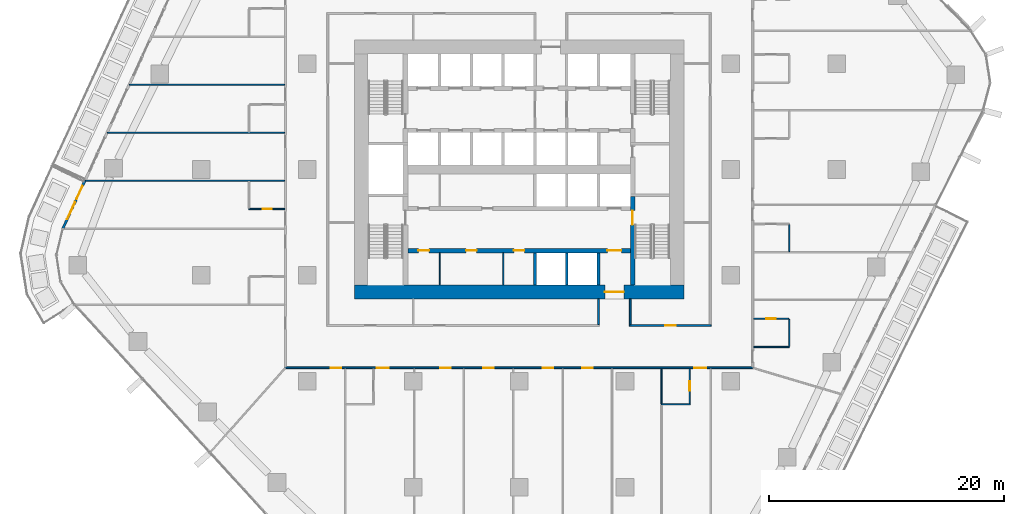
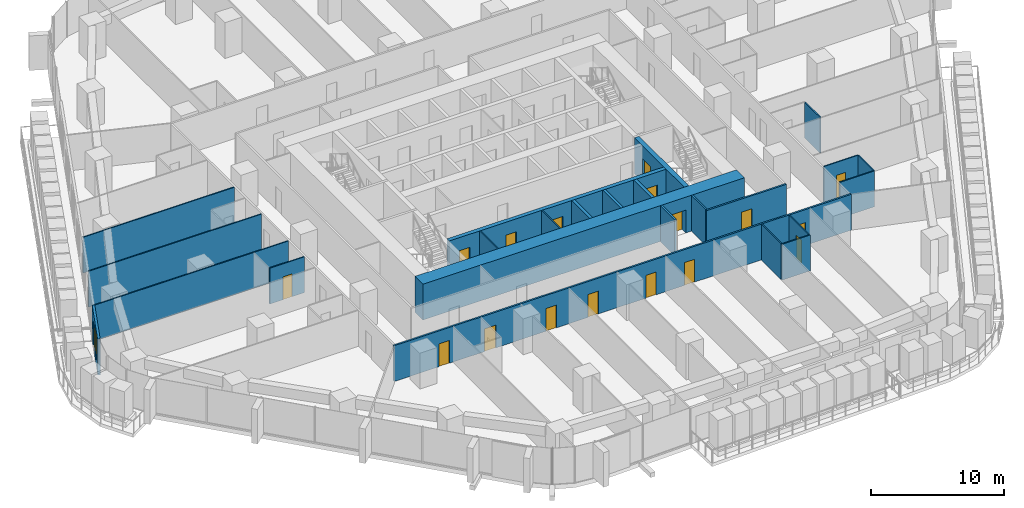
# One storey, part 14 of 27: 24 walls, 18 doors, 1 window, 19 openings.
"""IFC4 building model written with IfcOpenShell, lengths in metres."""

from ifc_helpers import new_model, si_unit, direction, frame, frame_2d, origin, place, context, subcontext, project, spatial, rectangle, extrude, material, layer, layer_set, type_object, element, fill, save


model = new_model("IFC4")

# Units and contexts
model_context = context("Model", 3, precision=1e-05, world=origin(), true_north=direction((0.0, 1.0)))
body_context = subcontext(model_context, "Body", "Model", "MODEL_VIEW")
ifc_project = project(units=[si_unit("LENGTHUNIT", "METRE"), si_unit("AREAUNIT", "SQUARE_METRE"), si_unit("VOLUMEUNIT", "CUBIC_METRE"), si_unit("PLANEANGLEUNIT", "RADIAN"), si_unit("MASSUNIT", "GRAM", prefix="KILO")], contexts=[model_context])

# Site, building, storey
site_placement = place(None, origin())
site = spatial("IfcSite", under=ifc_project, at=site_placement, CompositionType="ELEMENT")
building_placement = place(site_placement, origin())
building = spatial("IfcBuilding", under=site, at=building_placement, Name="Dongbaek Canopy Tower", CompositionType="ELEMENT")
storey_placement = place(building_placement, frame((0.0, 0.0, 58.800048828125)))
storey = spatial("IfcBuildingStorey", under=building, at=storey_placement, Name="L10", CompositionType="ELEMENT", Elevation=58.800048828125)

# Wall, openings, doors
ifc_material_1 = material(Name="Concrete C60/75", Category="concrete")
ifc_layer_1 = layer(ifc_material_1, 0.35009765625)
ifc_layer_set_1 = layer_set([ifc_layer_1], Name="Core lobby wall 350 Concrete C60/75")
wall_type_1 = type_object("IfcWallType", Name="Core lobby wall 350 Concrete C60/75", PredefinedType="SHEAR", material=ifc_layer_set_1)
wall_1_placement = place(storey_placement, frame((9.449951171875, -6.89990234375, 0.0), z_axis=(0.0, 0.0, 1.0), x_axis=(-1.0, 0.0, 0.0)))
wall_1 = element("IfcWall", 1, at=wall_1_placement, inside=storey, type_object=wall_type_1, Name="Core wall", PredefinedType="SHEAR", context=body_context, shape_type="SweptSolid", body=[
    extrude(rectangle(XDim=18.89990234375, YDim=0.35009765625, at=frame_2d((9.449951171875, 0.0))), origin(), (0.0, 0.0, 1.0), 3.300048828125),
])
opening_1_placement = place(wall_1_placement, frame((0.75, 0.0, 0.0)))
opening_1 = element("IfcOpeningElement", 2, at=opening_1_placement, cuts=wall_1, Name="Opening L10-D062", PredefinedType="OPENING", context=body_context, shape_type="SweptSolid", body=[
    extrude(rectangle(XDim=1.199951171875, YDim=2.10009765625, at=frame_2d((0.60009765625, 1.050048828125))), frame((0.0, 0.18505859375, 0.0), z_axis=(0.0, -1.0, 0.0), x_axis=(1.0, 0.0, 0.0)), (0.0, 0.0, 1.0), 0.3701171875),
])
opening_2_placement = place(wall_1_placement, frame((17.10009765625, 0.0, 0.0)))
opening_2 = element("IfcOpeningElement", 3, at=opening_2_placement, cuts=wall_1, Name="Opening L10-D065", PredefinedType="OPENING", context=body_context, shape_type="SweptSolid", body=[
    extrude(rectangle(XDim=0.89990234375, YDim=2.10009765625, at=frame_2d((0.449951171875, 1.050048828125))), frame((0.0, 0.18505859375, 0.0), z_axis=(0.0, -1.0, 0.0), x_axis=(1.0, 0.0, 0.0)), (0.0, 0.0, 1.0), 0.3701171875),
])
opening_3_placement = place(wall_1_placement, frame((13.050048828125, 0.0, 0.0)))
opening_3 = element("IfcOpeningElement", 4, at=opening_3_placement, cuts=wall_1, Name="Opening L10-D066", PredefinedType="OPENING", context=body_context, shape_type="SweptSolid", body=[
    extrude(rectangle(XDim=0.89990234375, YDim=2.10009765625, at=frame_2d((0.449951171875, 1.050048828125))), frame((0.0, 0.18505859375, 0.0), z_axis=(0.0, -1.0, 0.0), x_axis=(1.0, 0.0, 0.0)), (0.0, 0.0, 1.0), 0.3701171875),
])
opening_4_placement = place(wall_1_placement, frame((9.0, 0.0, 0.0)))
opening_4 = element("IfcOpeningElement", 5, at=opening_4_placement, cuts=wall_1, Name="Opening L10-D067", PredefinedType="OPENING", context=body_context, shape_type="SweptSolid", body=[
    extrude(rectangle(XDim=0.89990234375, YDim=2.10009765625, at=frame_2d((0.449951171875, 1.050048828125))), frame((0.0, 0.18505859375, 0.0), z_axis=(0.0, -1.0, 0.0), x_axis=(1.0, 0.0, 0.0)), (0.0, 0.0, 1.0), 0.3701171875),
])
ifc_material_2 = material(Name="Steel", Category="steel")
door_type_1 = type_object("IfcDoorType", Name="Core room door 900 x 2100", OperationType="SINGLE_SWING_LEFT", PredefinedType="DOOR", material=ifc_material_2)
door_1_placement = place(opening_2_placement, origin())
door_1 = element("IfcDoor", 6, at=door_1_placement, inside=storey, type_object=door_type_1, Name="Door L10-D065", OperationType="SINGLE_SWING_RIGHT", OverallHeight=2.10009765625, OverallWidth=0.89990234375, PredefinedType="DOOR", context=body_context, shape_type="SweptSolid", body=[
    extrude(rectangle(XDim=0.89990234375, YDim=2.10009765625, at=frame_2d((0.449951171875, 1.050048828125))), frame((0.0, 0.02490234375, 0.0), z_axis=(0.0, -1.0, 0.0), x_axis=(1.0, 0.0, 0.0)), (0.0, 0.0, 1.0), 0.050048828125),
])
fill(opening_2, door_1)
door_2_placement = place(opening_3_placement, origin())
door_2 = element("IfcDoor", 7, at=door_2_placement, inside=storey, type_object=door_type_1, Name="Door L10-D066", OperationType="SINGLE_SWING_LEFT", OverallHeight=2.10009765625, OverallWidth=0.89990234375, PredefinedType="DOOR", context=body_context, shape_type="SweptSolid", body=[
    extrude(rectangle(XDim=0.89990234375, YDim=2.10009765625, at=frame_2d((0.449951171875, 1.050048828125))), frame((0.0, 0.02490234375, 0.0), z_axis=(0.0, -1.0, 0.0), x_axis=(1.0, 0.0, 0.0)), (0.0, 0.0, 1.0), 0.050048828125),
])
fill(opening_3, door_2)
door_3_placement = place(opening_4_placement, origin())
door_3 = element("IfcDoor", 8, at=door_3_placement, inside=storey, type_object=door_type_1, Name="Door L10-D067", OperationType="SINGLE_SWING_RIGHT", OverallHeight=2.10009765625, OverallWidth=0.89990234375, PredefinedType="DOOR", context=body_context, shape_type="SweptSolid", body=[
    extrude(rectangle(XDim=0.89990234375, YDim=2.10009765625, at=frame_2d((0.449951171875, 1.050048828125))), frame((0.0, 0.02490234375, 0.0), z_axis=(0.0, -1.0, 0.0), x_axis=(1.0, 0.0, 0.0)), (0.0, 0.0, 1.0), 0.050048828125),
])
fill(opening_4, door_3)
ifc_material_3 = material(Name="Steel", Category="steel")
door_type_2 = type_object("IfcDoorType", Name="Fire lobby door 1200 x 2100", OperationType="SINGLE_SWING_LEFT", PredefinedType="DOOR", material=ifc_material_3)
door_4_placement = place(opening_1_placement, origin())
door_4 = element("IfcDoor", 9, at=door_4_placement, inside=storey, type_object=door_type_2, Name="Door L10-D062", OperationType="SINGLE_SWING_LEFT", OverallHeight=2.10009765625, OverallWidth=1.199951171875, PredefinedType="DOOR", context=body_context, shape_type="SweptSolid", body=[
    extrude(rectangle(XDim=1.199951171875, YDim=2.10009765625, at=frame_2d((0.60009765625, 1.050048828125))), frame((0.0, 0.02490234375, 0.0), z_axis=(0.0, -1.0, 0.0), x_axis=(1.0, 0.0, 0.0)), (0.0, 0.0, 1.0), 0.050048828125),
])
fill(opening_1, door_4)

# Wall, opening, door
ifc_material_4 = material(Name="Concrete C60/75", Category="concrete")
ifc_layer_2 = layer(ifc_material_4, 1.199951171875)
ifc_layer_set_2 = layer_set([ifc_layer_2], Name="Core outer wall 1200 Concrete C60/75")
wall_type_2 = type_object("IfcWallType", Name="Core outer wall 1200 Concrete C60/75", PredefinedType="SHEAR", material=ifc_layer_set_2)
wall_2_placement = place(storey_placement, frame((14.0, -10.39990234375, 0.0), z_axis=(0.0, 0.0, 1.0), x_axis=(-1.0, 0.0, 0.0)))
wall_2 = element("IfcWall", 10, at=wall_2_placement, inside=storey, type_object=wall_type_2, Name="Core wall", PredefinedType="SHEAR", context=body_context, shape_type="SweptSolid", body=[
    extrude(rectangle(XDim=28.0, YDim=1.199951171875, at=frame_2d((14.0, 0.0))), origin(), (0.0, 0.0, 1.0), 3.300048828125),
])
opening_5_placement = place(wall_2_placement, frame((5.10009765625, 0.0, 0.0)))
opening_5 = element("IfcOpeningElement", 11, at=opening_5_placement, cuts=wall_2, Name="Opening L10-D061", PredefinedType="OPENING", context=body_context, shape_type="SweptSolid", body=[
    extrude(rectangle(XDim=1.60009765625, YDim=2.10009765625, at=frame_2d((0.800048828125, 1.050048828125))), frame((0.0, 0.60986328125, 0.0), z_axis=(0.0, -1.0, 0.0), x_axis=(1.0, 0.0, 0.0)), (0.0, 0.0, 1.0), 1.219970703125),
])
ifc_material_5 = material(Name="Steel", Category="steel")
door_type_3 = type_object("IfcDoorType", Name="Core exit door 1600 x 2100", OperationType="DOUBLE_DOOR_SINGLE_SWING", PredefinedType="DOOR", material=ifc_material_5)
door_5_placement = place(opening_5_placement, origin())
door_5 = element("IfcDoor", 12, at=door_5_placement, inside=storey, type_object=door_type_3, Name="Core exit door", OperationType="DOUBLE_DOOR_SINGLE_SWING", OverallHeight=2.10009765625, OverallWidth=1.60009765625, PredefinedType="DOOR", context=body_context, shape_type="SweptSolid", body=[
    extrude(rectangle(XDim=1.60009765625, YDim=2.10009765625, at=frame_2d((0.800048828125, 1.050048828125))), frame((0.0, 0.02490234375, 0.0), z_axis=(0.0, -1.0, 0.0), x_axis=(1.0, 0.0, 0.0)), (0.0, 0.0, 1.0), 0.050048828125),
])
fill(opening_5, door_5)

# Wall, openings, doors
ifc_material_6 = material(Name="Gypsum board partition, steel stud, 2 x 15 mm fire board", Category="steel")
ifc_layer_3 = layer(ifc_material_6, 0.14990234375)
ifc_layer_set_3 = layer_set([ifc_layer_3], Name="Fire-rated partition 150 gypsum board")
wall_type_3 = type_object("IfcWallType", Name="Fire-rated partition 150 gypsum board", PredefinedType="PARTITIONING", material=ifc_layer_set_3)
wall_3_placement = place(storey_placement, frame((19.925048828125, -16.85009765625, 0.0), z_axis=(0.0, 0.0, 1.0), x_axis=(-1.0, 0.0, 0.0)))
wall_3 = element("IfcWall", 13, at=wall_3_placement, inside=storey, type_object=wall_type_3, Name="Corridor partition", PredefinedType="PARTITIONING", context=body_context, shape_type="SweptSolid", body=[
    extrude(rectangle(XDim=39.85009765625, YDim=0.14990234375, at=frame_2d((19.925048828125, 0.0))), origin(), (0.0, 0.0, 1.0), 3.300048828125),
])
opening_6_placement = place(wall_3_placement, frame((35.040771484375, 0.0, 0.0)))
opening_6 = element("IfcOpeningElement", 14, at=opening_6_placement, cuts=wall_3, Name="Opening L10-D006", PredefinedType="OPENING", context=body_context, shape_type="SweptSolid", body=[
    extrude(rectangle(XDim=0.89990234375, YDim=2.10009765625, at=frame_2d((0.449951171875, 1.050048828125))), frame((0.0, 0.0849609375, 0.0), z_axis=(0.0, -1.0, 0.0), x_axis=(1.0, 0.0, 0.0)), (0.0, 0.0, 1.0), 0.169921875),
])
opening_7_placement = place(wall_3_placement, frame((30.99951171875, 0.0, 0.0)))
opening_7 = element("IfcOpeningElement", 15, at=opening_7_placement, cuts=wall_3, Name="Opening L10-D008", PredefinedType="OPENING", context=body_context, shape_type="SweptSolid", body=[
    extrude(rectangle(XDim=1.0, YDim=2.10009765625, at=frame_2d((0.5, 1.050048828125))), frame((0.0, 0.0849609375, 0.0), z_axis=(0.0, -1.0, 0.0), x_axis=(1.0, 0.0, 0.0)), (0.0, 0.0, 1.0), 0.169921875),
])
opening_8_placement = place(wall_3_placement, frame((25.711181640625, 0.0, 0.0)))
opening_8 = element("IfcOpeningElement", 16, at=opening_8_placement, cuts=wall_3, Name="Opening L10-D009", PredefinedType="OPENING", context=body_context, shape_type="SweptSolid", body=[
    extrude(rectangle(XDim=0.89990234375, YDim=2.10009765625, at=frame_2d((0.449951171875, 1.050048828125))), frame((0.0, 0.0849609375, 0.0), z_axis=(0.0, -1.0, 0.0), x_axis=(1.0, 0.0, 0.0)), (0.0, 0.0, 1.0), 0.169921875),
])
opening_9_placement = place(wall_3_placement, frame((22.072021484375, 0.0, 0.0)))
opening_9 = element("IfcOpeningElement", 17, at=opening_9_placement, cuts=wall_3, Name="Opening L10-D010", PredefinedType="OPENING", context=body_context, shape_type="SweptSolid", body=[
    extrude(rectangle(XDim=0.89990234375, YDim=2.10009765625, at=frame_2d((0.449951171875, 1.050048828125))), frame((0.0, 0.0849609375, 0.0), z_axis=(0.0, -1.0, 0.0), x_axis=(1.0, 0.0, 0.0)), (0.0, 0.0, 1.0), 0.169921875),
])
opening_10_placement = place(wall_3_placement, frame((17.03369140625, 0.0, 0.0)))
opening_10 = element("IfcOpeningElement", 18, at=opening_10_placement, cuts=wall_3, Name="Opening L10-D011", PredefinedType="OPENING", context=body_context, shape_type="SweptSolid", body=[
    extrude(rectangle(XDim=0.89990234375, YDim=2.10009765625, at=frame_2d((0.449951171875, 1.050048828125))), frame((0.0, 0.0849609375, 0.0), z_axis=(0.0, -1.0, 0.0), x_axis=(1.0, 0.0, 0.0)), (0.0, 0.0, 1.0), 0.169921875),
])
opening_11_placement = place(wall_3_placement, frame((13.674560546875, 0.0, 0.0)))
opening_11 = element("IfcOpeningElement", 19, at=opening_11_placement, cuts=wall_3, Name="Opening L10-D012", PredefinedType="OPENING", context=body_context, shape_type="SweptSolid", body=[
    extrude(rectangle(XDim=0.89990234375, YDim=2.10009765625, at=frame_2d((0.449951171875, 1.050048828125))), frame((0.0, 0.0849609375, 0.0), z_axis=(0.0, -1.0, 0.0), x_axis=(1.0, 0.0, 0.0)), (0.0, 0.0, 1.0), 0.169921875),
])
opening_12_placement = place(wall_3_placement, frame((4.031494140625, 0.0, 0.0)))
opening_12 = element("IfcOpeningElement", 20, at=opening_12_placement, cuts=wall_3, Name="Opening L10-D014", PredefinedType="OPENING", context=body_context, shape_type="SweptSolid", body=[
    extrude(rectangle(XDim=1.0, YDim=2.10009765625, at=frame_2d((0.5, 1.050048828125))), frame((0.0, 0.0849609375, 0.0), z_axis=(0.0, -1.0, 0.0), x_axis=(1.0, 0.0, 0.0)), (0.0, 0.0, 1.0), 0.169921875),
])
ifc_material_7 = material(Name="Timber veneered door leaf", Category="wood")
door_type_4 = type_object("IfcDoorType", Name="Guest room door 1000 x 2100", OperationType="SINGLE_SWING_LEFT", PredefinedType="DOOR", material=ifc_material_7)
door_6_placement = place(opening_7_placement, origin())
door_6 = element("IfcDoor", 21, at=door_6_placement, inside=storey, type_object=door_type_4, Name="Door L10-D008", OperationType="SINGLE_SWING_RIGHT", OverallHeight=2.10009765625, OverallWidth=1.0, PredefinedType="DOOR", context=body_context, shape_type="SweptSolid", body=[
    extrude(rectangle(XDim=1.0, YDim=2.10009765625, at=frame_2d((0.5, 1.050048828125))), frame((0.0, 0.02490234375, 0.0), z_axis=(0.0, -1.0, 0.0), x_axis=(1.0, 0.0, 0.0)), (0.0, 0.0, 1.0), 0.050048828125),
])
fill(opening_7, door_6)
door_7_placement = place(opening_12_placement, origin())
door_7 = element("IfcDoor", 22, at=door_7_placement, inside=storey, type_object=door_type_4, Name="Door L10-D014", OperationType="SINGLE_SWING_RIGHT", OverallHeight=2.10009765625, OverallWidth=1.0, PredefinedType="DOOR", context=body_context, shape_type="SweptSolid", body=[
    extrude(rectangle(XDim=1.0, YDim=2.10009765625, at=frame_2d((0.5, 1.050048828125))), frame((0.0, 0.02490234375, 0.0), z_axis=(0.0, -1.0, 0.0), x_axis=(1.0, 0.0, 0.0)), (0.0, 0.0, 1.0), 0.050048828125),
])
fill(opening_12, door_7)
ifc_material_8 = material(Name="Timber veneered door leaf", Category="wood")
door_type_5 = type_object("IfcDoorType", Name="Room door 900 x 2100", OperationType="SINGLE_SWING_LEFT", PredefinedType="DOOR", material=ifc_material_8)
door_8_placement = place(opening_6_placement, origin())
door_8 = element("IfcDoor", 23, at=door_8_placement, inside=storey, type_object=door_type_5, Name="Door L10-D006", OperationType="SINGLE_SWING_LEFT", OverallHeight=2.10009765625, OverallWidth=0.89990234375, PredefinedType="DOOR", context=body_context, shape_type="SweptSolid", body=[
    extrude(rectangle(XDim=0.89990234375, YDim=2.10009765625, at=frame_2d((0.449951171875, 1.050048828125))), frame((0.0, 0.02490234375, 0.0), z_axis=(0.0, -1.0, 0.0), x_axis=(1.0, 0.0, 0.0)), (0.0, 0.0, 1.0), 0.050048828125),
])
fill(opening_6, door_8)
door_9_placement = place(opening_8_placement, origin())
door_9 = element("IfcDoor", 24, at=door_9_placement, inside=storey, type_object=door_type_5, Name="Door L10-D009", OperationType="SINGLE_SWING_LEFT", OverallHeight=2.10009765625, OverallWidth=0.89990234375, PredefinedType="DOOR", context=body_context, shape_type="SweptSolid", body=[
    extrude(rectangle(XDim=0.89990234375, YDim=2.10009765625, at=frame_2d((0.449951171875, 1.050048828125))), frame((0.0, 0.02490234375, 0.0), z_axis=(0.0, -1.0, 0.0), x_axis=(1.0, 0.0, 0.0)), (0.0, 0.0, 1.0), 0.050048828125),
])
fill(opening_8, door_9)
door_10_placement = place(opening_9_placement, origin())
door_10 = element("IfcDoor", 25, at=door_10_placement, inside=storey, type_object=door_type_5, Name="Door L10-D010", OperationType="SINGLE_SWING_RIGHT", OverallHeight=2.10009765625, OverallWidth=0.89990234375, PredefinedType="DOOR", context=body_context, shape_type="SweptSolid", body=[
    extrude(rectangle(XDim=0.89990234375, YDim=2.10009765625, at=frame_2d((0.449951171875, 1.050048828125))), frame((0.0, 0.02490234375, 0.0), z_axis=(0.0, -1.0, 0.0), x_axis=(1.0, 0.0, 0.0)), (0.0, 0.0, 1.0), 0.050048828125),
])
fill(opening_9, door_10)
door_11_placement = place(opening_10_placement, origin())
door_11 = element("IfcDoor", 26, at=door_11_placement, inside=storey, type_object=door_type_5, Name="Door L10-D011", OperationType="SINGLE_SWING_LEFT", OverallHeight=2.10009765625, OverallWidth=0.89990234375, PredefinedType="DOOR", context=body_context, shape_type="SweptSolid", body=[
    extrude(rectangle(XDim=0.89990234375, YDim=2.10009765625, at=frame_2d((0.449951171875, 1.050048828125))), frame((0.0, 0.02490234375, 0.0), z_axis=(0.0, -1.0, 0.0), x_axis=(1.0, 0.0, 0.0)), (0.0, 0.0, 1.0), 0.050048828125),
])
fill(opening_10, door_11)
door_12_placement = place(opening_11_placement, origin())
door_12 = element("IfcDoor", 27, at=door_12_placement, inside=storey, type_object=door_type_5, Name="Door L10-D012", OperationType="SINGLE_SWING_RIGHT", OverallHeight=2.10009765625, OverallWidth=0.89990234375, PredefinedType="DOOR", context=body_context, shape_type="SweptSolid", body=[
    extrude(rectangle(XDim=0.89990234375, YDim=2.10009765625, at=frame_2d((0.449951171875, 1.050048828125))), frame((0.0, 0.02490234375, 0.0), z_axis=(0.0, -1.0, 0.0), x_axis=(1.0, 0.0, 0.0)), (0.0, 0.0, 1.0), 0.050048828125),
])
fill(opening_11, door_12)

# Wall, opening, door
wall_4_placement = place(storey_placement, frame((9.375, -13.25, 0.0), z_axis=(0.0, 0.0, 1.0), x_axis=(1.0, 0.0, 0.0)))
wall_4 = element("IfcWall", 28, at=wall_4_placement, inside=storey, type_object=wall_type_3, Name="Corridor partition", PredefinedType="PARTITIONING", context=body_context, shape_type="SweptSolid", body=[
    extrude(rectangle(XDim=6.949951171875, YDim=0.14990234375, at=frame_2d((3.47509765625, 0.0))), origin(), (0.0, 0.0, 1.0), 3.300048828125),
])
opening_13_placement = place(wall_4_placement, frame((3.02490234375, 0.0, 0.0)))
opening_13 = element("IfcOpeningElement", 29, at=opening_13_placement, cuts=wall_4, Name="Opening L10-D038", PredefinedType="OPENING", context=body_context, shape_type="SweptSolid", body=[
    extrude(rectangle(XDim=0.89990234375, YDim=2.10009765625, at=frame_2d((0.449951171875, 1.050048828125))), frame((0.0, 0.0849609375, 0.0), z_axis=(0.0, -1.0, 0.0), x_axis=(1.0, 0.0, 0.0)), (0.0, 0.0, 1.0), 0.169921875),
])
door_13_placement = place(opening_13_placement, origin())
door_13 = element("IfcDoor", 30, at=door_13_placement, inside=storey, type_object=door_type_5, Name="Door L10-D038", OperationType="SINGLE_SWING_LEFT", OverallHeight=2.10009765625, OverallWidth=0.89990234375, PredefinedType="DOOR", context=body_context, shape_type="SweptSolid", body=[
    extrude(rectangle(XDim=0.89990234375, YDim=2.10009765625, at=frame_2d((0.449951171875, 1.050048828125))), frame((0.0, 0.02490234375, 0.0), z_axis=(0.0, -1.0, 0.0), x_axis=(1.0, 0.0, 0.0)), (0.0, 0.0, 1.0), 0.050048828125),
])
fill(opening_13, door_13)

# Walls
for number, where, z_axis, x_axis, name in (
    (31, (9.449951171875, -13.175048828125, 0.0), (0.0, 0.0, 1.0), (0.0, 1.0, 0.0), "Corridor partition"),
    (32, (6.75, -13.175048828125, 0.0), (0.0, 0.0, 1.0), (0.0, 1.0, 0.0), "Corridor partition"),
):
    element("IfcWall", number, at=place(storey_placement, frame(where, z_axis=z_axis, x_axis=x_axis)), inside=storey, type_object=wall_type_3, Name=name, PredefinedType="PARTITIONING", context=body_context, shape_type="SweptSolid", body=[
        extrude(rectangle(XDim=2.175048828125, YDim=0.14990234375, at=frame_2d((1.08740234375, 0.0))), origin(), (0.0, 0.0, 1.0), 3.300048828125),
    ])
ifc_material_9 = material(Name="Concrete C40/50", Category="concrete")
ifc_layer_4 = layer(ifc_material_9, 0.25)
ifc_layer_set_4 = layer_set([ifc_layer_4], Name="Lift shaft wall 250 Concrete C40/50")
wall_type_4 = type_object("IfcWallType", Name="Lift shaft wall 250 Concrete C40/50", PredefinedType="SOLIDWALL", material=ifc_layer_set_4)
for number, where, z_axis, x_axis, name in (
    (33, (6.75, -9.800048828125, 0.0), (0.0, 0.0, 1.0), (0.0, 1.0, 0.0), "Lift shaft wall"),
    (34, (4.050048828125, -9.800048828125, 0.0), (0.0, 0.0, 1.0), (0.0, 1.0, 0.0), "Lift shaft wall"),
    (35, (1.35009765625, -9.800048828125, 0.0), (0.0, 0.0, 1.0), (0.0, 1.0, 0.0), "Lift shaft wall"),
):
    element("IfcWall", number, at=place(storey_placement, frame(where, z_axis=z_axis, x_axis=x_axis)), inside=storey, type_object=wall_type_4, Name=name, PredefinedType="SOLIDWALL", context=body_context, shape_type="SweptSolid", body=[
        extrude(rectangle(XDim=2.72509765625, YDim=0.25, at=frame_2d((1.362548828125, 0.0))), origin(), (0.0, 0.0, 1.0), 3.300048828125),
    ])
ifc_material_10 = material(Name="Gypsum board partition, steel stud, 2 x 12.5 mm board", Category="steel")
ifc_layer_5 = layer(ifc_material_10, 0.10009765625)
ifc_layer_set_5 = layer_set([ifc_layer_5], Name="Partition 100 gypsum board")
wall_type_5 = type_object("IfcWallType", Name="Partition 100 gypsum board", PredefinedType="PARTITIONING", material=ifc_layer_set_5)
wall_5_placement = place(storey_placement, frame((12.0986328125, -19.949951171875, 0.0), z_axis=(0.0, 0.0, 1.0), x_axis=(1.0, 0.0, 0.0)))
element("IfcWall", 36, at=wall_5_placement, inside=storey, type_object=wall_type_5, Name="Partition", PredefinedType="PARTITIONING", context=body_context, shape_type="SweptSolid", body=[
    extrude(rectangle(XDim=2.449951171875, YDim=0.10009765625, at=frame_2d((1.22509765625, 0.0))), origin(), (0.0, 0.0, 1.0), 3.300048828125),
])
wall_6_placement = place(storey_placement, frame((19.925048828125, -15.0791015625, 0.0), z_axis=(0.0, 0.0, 1.0), x_axis=(1.0, 0.0, 0.0)))
element("IfcWall", 37, at=wall_6_placement, inside=storey, type_object=wall_type_5, Name="Partition", PredefinedType="PARTITIONING", context=body_context, shape_type="SweptSolid", body=[
    extrude(rectangle(XDim=3.02490234375, YDim=0.10009765625, at=frame_2d((1.512451171875, 0.0))), origin(), (0.0, 0.0, 1.0), 3.300048828125),
])

# Wall, opening, door
wall_7_placement = place(storey_placement, frame((22.89990234375, -12.678955078125, 0.0), z_axis=(0.0, 0.0, 1.0), x_axis=(-1.0, 0.0, 0.0)))
wall_7 = element("IfcWall", 38, at=wall_7_placement, inside=storey, type_object=wall_type_5, Name="Partition", PredefinedType="PARTITIONING", context=body_context, shape_type="SweptSolid", body=[
    extrude(rectangle(XDim=2.974853515625, YDim=0.10009765625, at=frame_2d((1.4873046875, 0.0))), origin(), (0.0, 0.0, 1.0), 3.300048828125),
])
opening_14_placement = place(wall_7_placement, frame((1.10009765625, 0.0, 0.0)))
opening_14 = element("IfcOpeningElement", 39, at=opening_14_placement, cuts=wall_7, Name="Opening L10-D015", PredefinedType="OPENING", context=body_context, shape_type="SweptSolid", body=[
    extrude(rectangle(XDim=0.800048828125, YDim=2.10009765625, at=frame_2d((0.39990234375, 1.050048828125))), frame((0.0, 0.06005859375, 0.0), z_axis=(0.0, -1.0, 0.0), x_axis=(1.0, 0.0, 0.0)), (0.0, 0.0, 1.0), 0.1201171875),
])
ifc_material_11 = material(Name="Timber veneered door leaf", Category="wood")
door_type_6 = type_object("IfcDoorType", Name="En-suite door 800 x 2100", OperationType="SINGLE_SWING_LEFT", PredefinedType="DOOR", material=ifc_material_11)
door_14_placement = place(opening_14_placement, origin())
door_14 = element("IfcDoor", 40, at=door_14_placement, inside=storey, type_object=door_type_6, Name="Door L10-D015", OperationType="SINGLE_SWING_LEFT", OverallHeight=2.10009765625, OverallWidth=0.800048828125, PredefinedType="DOOR", context=body_context, shape_type="SweptSolid", body=[
    extrude(rectangle(XDim=0.800048828125, YDim=2.10009765625, at=frame_2d((0.39990234375, 1.050048828125))), frame((0.0, 0.02490234375, 0.0), z_axis=(0.0, -1.0, 0.0), x_axis=(1.0, 0.0, 0.0)), (0.0, 0.0, 1.0), 0.050048828125),
])
fill(opening_14, door_14)

wall_8_placement = place(storey_placement, frame((-22.949951171875, -3.35693359375, 0.0), z_axis=(0.0, 0.0, 1.0), x_axis=(1.0, 0.0, 0.0)))
wall_8 = element("IfcWall", 41, at=wall_8_placement, inside=storey, type_object=wall_type_5, Name="Partition", PredefinedType="PARTITIONING", context=body_context, shape_type="SweptSolid", body=[
    extrude(rectangle(XDim=3.02490234375, YDim=0.10009765625, at=frame_2d((1.512451171875, 0.0))), origin(), (0.0, 0.0, 1.0), 3.300048828125),
])
opening_15_placement = place(wall_8_placement, frame((1.14990234375, 0.0, 0.0)))
opening_15 = element("IfcOpeningElement", 42, at=opening_15_placement, cuts=wall_8, Name="Opening L10-D001", PredefinedType="OPENING", context=body_context, shape_type="SweptSolid", body=[
    extrude(rectangle(XDim=0.800048828125, YDim=2.10009765625, at=frame_2d((0.39990234375, 1.050048828125))), frame((0.0, 0.06005859375, 0.0), z_axis=(0.0, -1.0, 0.0), x_axis=(1.0, 0.0, 0.0)), (0.0, 0.0, 1.0), 0.1201171875),
])
door_15_placement = place(opening_15_placement, origin())
door_15 = element("IfcDoor", 43, at=door_15_placement, inside=storey, type_object=door_type_6, Name="Door L10-D001", OperationType="SINGLE_SWING_LEFT", OverallHeight=2.10009765625, OverallWidth=0.800048828125, PredefinedType="DOOR", context=body_context, shape_type="SweptSolid", body=[
    extrude(rectangle(XDim=0.800048828125, YDim=2.10009765625, at=frame_2d((0.39990234375, 1.050048828125))), frame((0.0, 0.02490234375, 0.0), z_axis=(0.0, -1.0, 0.0), x_axis=(1.0, 0.0, 0.0)), (0.0, 0.0, 1.0), 0.050048828125),
])
fill(opening_15, door_15)

# Walls
wall_9_placement = place(storey_placement, frame((-36.869873046875, -0.95703125, 0.0), z_axis=(0.0, 0.0, 1.0), x_axis=(1.0, 0.0, 0.0)))
element("IfcWall", 44, at=wall_9_placement, inside=storey, type_object=wall_type_5, Name="Partition", PredefinedType="PARTITIONING", context=body_context, shape_type="SweptSolid", body=[
    extrude(rectangle(XDim=16.94482421875, YDim=0.10009765625, at=frame_2d((8.472412109375, 0.0))), origin(), (0.0, 0.0, 1.0), 3.300048828125),
])
wall_10_placement = place(storey_placement, frame((-34.988037109375, 3.123046875, 0.0), z_axis=(0.0, 0.0, 1.0), x_axis=(1.0, 0.0, 0.0)))
element("IfcWall", 45, at=wall_10_placement, inside=storey, type_object=wall_type_5, Name="Partition", PredefinedType="PARTITIONING", context=body_context, shape_type="SweptSolid", body=[
    extrude(rectangle(XDim=15.06298828125, YDim=0.10009765625, at=frame_2d((7.531494140625, 0.0))), origin(), (0.0, 0.0, 1.0), 3.300048828125),
])
wall_11_placement = place(storey_placement, frame((-33.106201171875, 7.202880859375, 0.0), z_axis=(0.0, 0.0, 1.0), x_axis=(1.0, 0.0, 0.0)))
element("IfcWall", 46, at=wall_11_placement, inside=storey, type_object=wall_type_5, Name="Partition", PredefinedType="PARTITIONING", context=body_context, shape_type="SweptSolid", body=[
    extrude(rectangle(XDim=13.18115234375, YDim=0.10009765625, at=frame_2d((6.590576171875, 0.0))), origin(), (0.0, 0.0, 1.0), 3.300048828125),
])
wall_12_placement = place(storey_placement, frame((22.949951171875, -15.028564453125, 0.0), z_axis=(0.0, 0.0, 1.0), x_axis=(0.0, 1.0, 0.0)))
element("IfcWall", 47, at=wall_12_placement, inside=storey, type_object=wall_type_5, Name="Partition", PredefinedType="PARTITIONING", context=body_context, shape_type="SweptSolid", body=[
    extrude(rectangle(XDim=2.300048828125, YDim=0.10009765625, at=frame_2d((1.14990234375, 0.0))), origin(), (0.0, 0.0, 1.0), 3.300048828125),
])
wall_13_placement = place(storey_placement, frame((22.949951171875, -6.97998046875, 0.0), z_axis=(0.0, 0.0, 1.0), x_axis=(0.0, 1.0, 0.0)))
element("IfcWall", 48, at=wall_13_placement, inside=storey, type_object=wall_type_5, Name="Partition", PredefinedType="PARTITIONING", context=body_context, shape_type="SweptSolid", body=[
    extrude(rectangle(XDim=2.299560546875, YDim=0.10009765625, at=frame_2d((1.14990234375, 0.0))), origin(), (0.0, 0.0, 1.0), 3.300048828125),
])

# Wall, opening, door
wall_14_placement = place(storey_placement, frame((14.4990234375, -19.949951171875, 0.0), z_axis=(0.0, 0.0, 1.0), x_axis=(0.0, 1.0, 0.0)))
wall_14 = element("IfcWall", 49, at=wall_14_placement, inside=storey, type_object=wall_type_5, Name="Partition", PredefinedType="PARTITIONING", context=body_context, shape_type="SweptSolid", body=[
    extrude(rectangle(XDim=3.02490234375, YDim=0.10009765625, at=frame_2d((1.512451171875, 0.0))), origin(), (0.0, 0.0, 1.0), 3.300048828125),
])
opening_16_placement = place(wall_14_placement, frame((1.14990234375, 0.0, 0.0)))
opening_16 = element("IfcOpeningElement", 50, at=opening_16_placement, cuts=wall_14, Name="Opening L10-D013", PredefinedType="OPENING", context=body_context, shape_type="SweptSolid", body=[
    extrude(rectangle(XDim=0.800048828125, YDim=2.10009765625, at=frame_2d((0.39990234375, 1.050048828125))), frame((0.0, 0.06005859375, 0.0), z_axis=(0.0, -1.0, 0.0), x_axis=(1.0, 0.0, 0.0)), (0.0, 0.0, 1.0), 0.1201171875),
])
door_16_placement = place(opening_16_placement, origin())
door_16 = element("IfcDoor", 51, at=door_16_placement, inside=storey, type_object=door_type_6, Name="Door L10-D013", OperationType="SINGLE_SWING_LEFT", OverallHeight=2.10009765625, OverallWidth=0.800048828125, PredefinedType="DOOR", context=body_context, shape_type="SweptSolid", body=[
    extrude(rectangle(XDim=0.800048828125, YDim=2.10009765625, at=frame_2d((0.39990234375, 1.050048828125))), frame((0.0, 0.02490234375, 0.0), z_axis=(0.0, -1.0, 0.0), x_axis=(1.0, 0.0, 0.0)), (0.0, 0.0, 1.0), 0.050048828125),
])
fill(opening_16, door_16)

# Walls
wall_15_placement = place(storey_placement, frame((12.09912109375, -19.89990234375, 0.0), z_axis=(0.0, 0.0, 1.0), x_axis=(0.0, 1.0, 0.0)))
element("IfcWall", 52, at=wall_15_placement, inside=storey, type_object=wall_type_5, Name="Partition", PredefinedType="PARTITIONING", context=body_context, shape_type="SweptSolid", body=[
    extrude(rectangle(XDim=2.974853515625, YDim=0.10009765625, at=frame_2d((1.4873046875, 0.0))), origin(), (0.0, 0.0, 1.0), 3.300048828125),
])
for number, where, z_axis, x_axis, name in (
    (53, (-1.35009765625, -9.800048828125, 0.0), (0.0, 0.0, 1.0), (0.0, 1.0, 0.0), "Core partition"),
    (54, (-6.75, -9.800048828125, 0.0), (0.0, 0.0, 1.0), (0.0, 1.0, 0.0), "Core partition"),
):
    element("IfcWall", number, at=place(storey_placement, frame(where, z_axis=z_axis, x_axis=x_axis)), inside=storey, type_object=wall_type_5, Name=name, PredefinedType="PARTITIONING", context=body_context, shape_type="SweptSolid", body=[
        extrude(rectangle(XDim=2.72509765625, YDim=0.10009765625, at=frame_2d((1.362548828125, 0.0))), origin(), (0.0, 0.0, 1.0), 3.300048828125),
    ])

# Wall, opening, door
ifc_material_12 = material(Name="Concrete C60/75", Category="concrete")
ifc_layer_6 = layer(ifc_material_12, 0.39990234375)
ifc_layer_set_6 = layer_set([ifc_layer_6], Name="Stair wall 400 Concrete C60/75")
wall_type_6 = type_object("IfcWallType", Name="Stair wall 400 Concrete C60/75", PredefinedType="SHEAR", material=ifc_layer_set_6)
wall_16_placement = place(storey_placement, frame((9.64990234375, -2.300048828125, 0.0), z_axis=(0.0, 0.0, 1.0), x_axis=(0.0, -1.0, 0.0)))
wall_16 = element("IfcWall", 55, at=wall_16_placement, inside=storey, type_object=wall_type_6, Name="Stair wall", PredefinedType="SHEAR", context=body_context, shape_type="SweptSolid", body=[
    extrude(rectangle(XDim=7.5, YDim=0.39990234375, at=frame_2d((3.75, 0.0))), origin(), (0.0, 0.0, 1.0), 3.300048828125),
])
opening_17_placement = place(wall_16_placement, frame((1.199951171875, 0.0, 0.0)))
opening_17 = element("IfcOpeningElement", 56, at=opening_17_placement, cuts=wall_16, Name="Opening L10-D070", PredefinedType="OPENING", context=body_context, shape_type="SweptSolid", body=[
    extrude(rectangle(XDim=1.199951171875, YDim=2.10009765625, at=frame_2d((0.60009765625, 1.050048828125))), frame((0.0, 0.2099609375, 0.0), z_axis=(0.0, -1.0, 0.0), x_axis=(1.0, 0.0, 0.0)), (0.0, 0.0, 1.0), 0.419921875),
])
ifc_material_13 = material(Name="Steel", Category="steel")
door_type_7 = type_object("IfcDoorType", Name="Stair door 1200 x 2100", OperationType="SINGLE_SWING_LEFT", PredefinedType="DOOR", material=ifc_material_13)
door_17_placement = place(opening_17_placement, origin())
door_17 = element("IfcDoor", 57, at=door_17_placement, inside=storey, type_object=door_type_7, Name="Stair B door", OperationType="SINGLE_SWING_RIGHT", OverallHeight=2.10009765625, OverallWidth=1.199951171875, PredefinedType="DOOR", context=body_context, shape_type="SweptSolid", body=[
    extrude(rectangle(XDim=1.199951171875, YDim=2.10009765625, at=frame_2d((0.60009765625, 1.050048828125))), frame((0.0, 0.02490234375, 0.0), z_axis=(0.0, -1.0, 0.0), x_axis=(1.0, 0.0, 0.0)), (0.0, 0.0, 1.0), 0.050048828125),
])
fill(opening_17, door_17)

# Wall, openings, door, window
ifc_material_14 = material(Name="Aluminium window wall", Category="aluminium")
ifc_layer_7 = layer(ifc_material_14, 0.199951171875)
ifc_layer_set_7 = layer_set([ifc_layer_7], Name="Window wall 200")
wall_type_7 = type_object("IfcWallType", Name="Window wall 200", PredefinedType="SOLIDWALL", material=ifc_layer_set_7)
wall_17_placement = place(storey_placement, frame((-36.891845703125, -0.956787109375, 0.0), z_axis=(0.0, 0.0, 1.0), x_axis=(-0.418806078916, -0.908075695228, 0.0)))
wall_17 = element("IfcWall", 58, at=wall_17_placement, inside=storey, type_object=wall_type_7, Name="Window wall L10 7", PredefinedType="SOLIDWALL", context=body_context, shape_type="SweptSolid", body=[
    extrude(rectangle(XDim=4.4833984375, YDim=0.199951171875, at=frame_2d((2.24169921875, 0.0))), origin(), (0.0, 0.0, 1.0), 3.300048828125),
])
opening_18_placement = place(wall_17_placement, frame((2.0, 0.0, 0.60009765625)))
opening_18 = element("IfcOpeningElement", 59, at=opening_18_placement, cuts=wall_17, Name="Opening W1", PredefinedType="OPENING", context=body_context, shape_type="SweptSolid", body=[
    extrude(rectangle(XDim=1.60009765625, YDim=2.39990234375, at=frame_2d((0.800048828125, 1.199951171875))), frame((0.0, 0.10986328125, 0.0), z_axis=(0.0, -1.0, 0.0), x_axis=(1.0, 0.0, 0.0)), (0.0, 0.0, 1.0), 0.219970703125),
])
opening_19_placement = place(wall_17_placement, frame((0.5, 0.0, 0.0)))
opening_19 = element("IfcOpeningElement", 60, at=opening_19_placement, cuts=wall_17, Name="Opening L10-B17", PredefinedType="OPENING", context=body_context, shape_type="SweptSolid", body=[
    extrude(rectangle(XDim=1.199951171875, YDim=2.39990234375, at=frame_2d((0.60009765625, 1.199951171875))), frame((0.0, 0.10986328125, 0.0), z_axis=(0.0, -1.0, 0.0), x_axis=(1.0, 0.0, 0.0)), (0.0, 0.0, 1.0), 0.219970703125),
])
ifc_material_15 = material(Name="Clear glazing in aluminium frame", Category="aluminium")
door_type_8 = type_object("IfcDoorType", Name="Balcony door BD1 1200 x 2400", OperationType="SLIDING_TO_LEFT", PredefinedType="DOOR", material=ifc_material_15)
door_18_placement = place(opening_19_placement, origin())
door_18 = element("IfcDoor", 61, at=door_18_placement, inside=storey, type_object=door_type_8, Name="Balcony door L10-B17", OperationType="SLIDING_TO_LEFT", OverallHeight=2.39990234375, OverallWidth=1.199951171875, PredefinedType="DOOR", context=body_context, shape_type="SweptSolid", body=[
    extrude(rectangle(XDim=1.199951171875, YDim=2.39990234375, at=frame_2d((0.60009765625, 1.199951171875))), frame((0.0, 0.02490234375, 0.0), z_axis=(0.0, -1.0, 0.0), x_axis=(1.0, 0.0, 0.0)), (0.0, 0.0, 1.0), 0.050048828125),
])
fill(opening_19, door_18)
ifc_material_16 = material(Name="Clear glazing in aluminium frame", Category="aluminium")
window_type = type_object("IfcWindowType", Name="Window W1 1600 x 2400", PartitioningType="SINGLE_PANEL", PredefinedType="WINDOW", material=ifc_material_16)
window_placement = place(opening_18_placement, origin())
window = element("IfcWindow", 62, at=window_placement, inside=storey, type_object=window_type, Name="Window L10 7.1", OverallHeight=2.39990234375, OverallWidth=1.60009765625, PartitioningType="SINGLE_PANEL", PredefinedType="WINDOW", context=body_context, shape_type="SweptSolid", body=[
    extrude(rectangle(XDim=1.60009765625, YDim=2.39990234375, at=frame_2d((0.800048828125, 1.199951171875))), frame((0.0, 0.030029296875, 0.0), z_axis=(0.0, -1.0, 0.0), x_axis=(1.0, 0.0, 0.0)), (0.0, 0.0, 1.0), 0.06005859375),
])
fill(opening_18, window)

save(model, "model.ifc")
